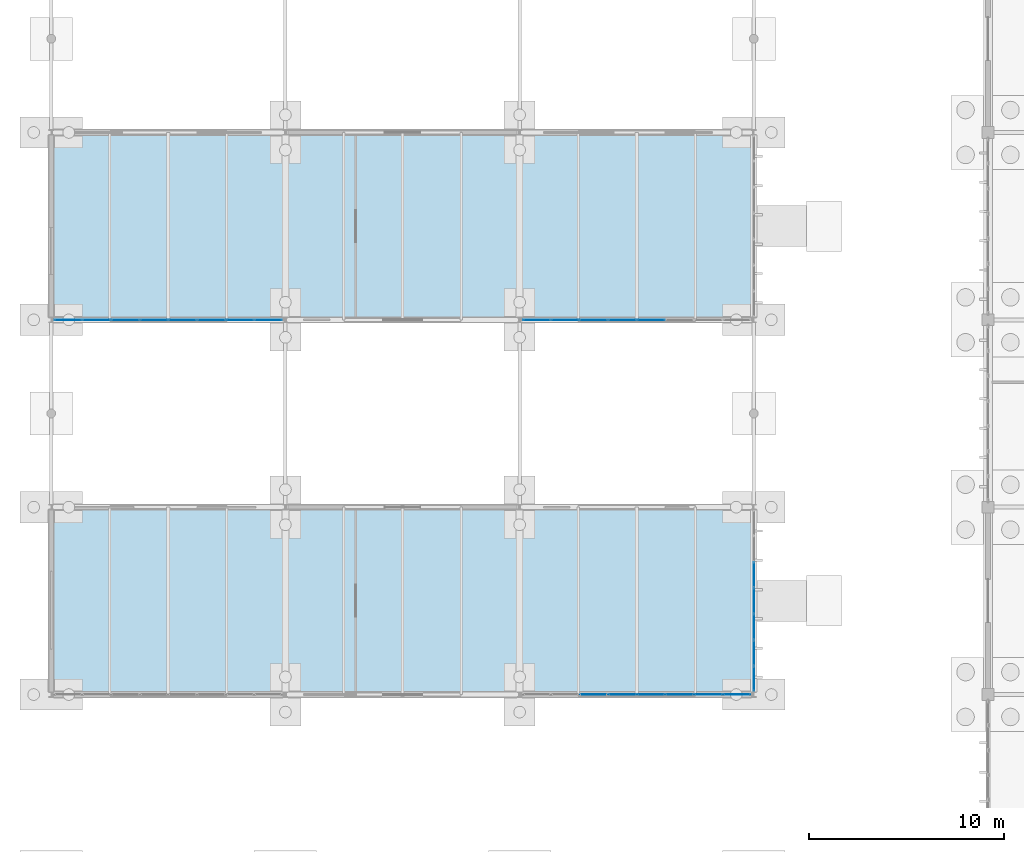
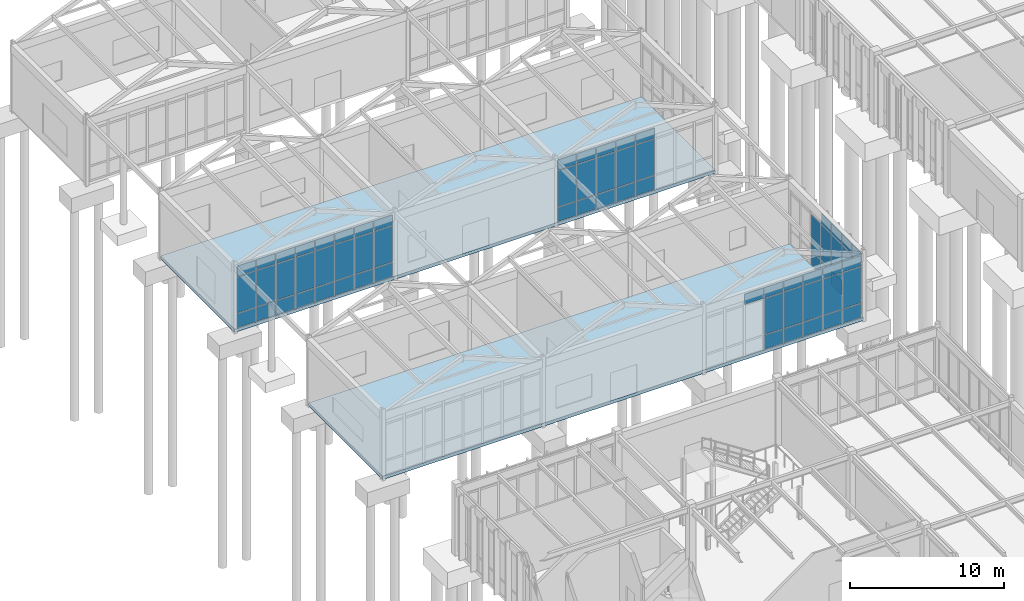
# One storey, part 131 of 188: 69 plates, 2 slabs, 4 elements without a shape of their own.
"""IFC4 building model written with IfcOpenShell, lengths in metres."""

from ifc_helpers import new_model, si_unit, direction, frame, origin, origin_2d, place, context, subcontext, project, spatial, polyline, rectangle, outline, extrude, material, layer, layer_set, type_object, element, aggregate, save


model = new_model("IFC4")

# Units and contexts
model_context = context("Model", 3, precision=1e-05, world=origin(), true_north=direction((0.0, 1.0)))
body_context = subcontext(model_context, "Body", "Model", "MODEL_VIEW")
ifc_project = project(units=[si_unit("LENGTHUNIT", "METRE"), si_unit("AREAUNIT", "SQUARE_METRE"), si_unit("VOLUMEUNIT", "CUBIC_METRE"), si_unit("PLANEANGLEUNIT", "RADIAN"), si_unit("MASSUNIT", "GRAM", prefix="KILO")], contexts=[model_context])

# Site, building, storey
site_placement = place(None, origin())
site = spatial("IfcSite", under=ifc_project, at=site_placement, CompositionType="ELEMENT")
building_placement = place(site_placement, origin())
building = spatial("IfcBuilding", under=site, at=building_placement, Name="Pandanus Reach Market Hall", CompositionType="ELEMENT")
storey_placement = place(building_placement, origin())
storey = spatial("IfcBuildingStorey", under=building, at=storey_placement, Name="L00", CompositionType="ELEMENT", Elevation=0.0)

# Curtain wall, plates
ifc_material_1 = material(Name="Bronze anodised aluminium and low-E glass", Category="aluminium")
ifc_layer_1 = layer(ifc_material_1, 0.159912109375, Name="CW-07")
ifc_layer_set_1 = layer_set([ifc_layer_1], Name="Bronze anodised aluminium and low-E glass")
curtain_wall_type_1 = type_object("IfcCurtainWallType", Name="CW-07", PredefinedType="NOTDEFINED", material=ifc_layer_set_1)
curtain_wall_1_placement = place(storey_placement, origin())
curtain_wall_1 = element("IfcCurtainWall", 1, at=curtain_wall_1_placement, inside=storey, type_object=curtain_wall_type_1, Name="Glazed curtain wall CW-07 CW-0039", PredefinedType="NOTDEFINED")
ifc_material_2 = material(Name="Solar-control double glazing", Category="glass")
ifc_layer_2 = layer(ifc_material_2, 0.028076171875, Name="CW-P1")
ifc_layer_set_2 = layer_set([ifc_layer_2], Name="Solar-control double glazing")
plate_type = type_object("IfcPlateType", Name="CW-P1", PredefinedType="CURTAIN_PANEL", material=ifc_layer_set_2)
plate_1_placement = place(storey_placement, frame((27.797607421875, 38.39990234375, 4.13232421875), z_axis=(0.0, 0.0, 1.0), x_axis=(1.0, 0.0, 0.0)))
plate_1 = element("IfcPlate", 2, at=plate_1_placement, type_object=plate_type, Name="CW-07 panel 3.3", PredefinedType="CURTAIN_PANEL", context=body_context, shape_type="SweptSolid", body=[
    extrude(rectangle(XDim=1.4033203125, YDim=0.028076171875, at=origin_2d()), origin(), (0.0, 0.0, 1.0), 0.802490234375),
])
plate_2_placement = place(storey_placement, frame((29.265869140625, 38.39990234375, 0.06494140625), z_axis=(0.0, 0.0, 1.0), x_axis=(1.0, 0.0, 0.0)))
plate_2 = element("IfcPlate", 3, at=plate_2_placement, type_object=plate_type, Name="CW-07 panel 4.1", PredefinedType="CURTAIN_PANEL", context=body_context, shape_type="SweptSolid", body=[
    extrude(rectangle(XDim=1.4033203125, YDim=0.028076171875, at=origin_2d()), origin(), (0.0, 0.0, 1.0), 1.1025390625),
])
plate_3_placement = place(storey_placement, frame((29.265869140625, 38.39990234375, 1.232421875), z_axis=(0.0, 0.0, 1.0), x_axis=(1.0, 0.0, 0.0)))
plate_3 = element("IfcPlate", 4, at=plate_3_placement, type_object=plate_type, Name="CW-07 panel 4.2", PredefinedType="CURTAIN_PANEL", context=body_context, shape_type="SweptSolid", body=[
    extrude(rectangle(XDim=1.4033203125, YDim=0.028076171875, at=origin_2d()), origin(), (0.0, 0.0, 1.0), 2.8349609375),
])
plate_4_placement = place(storey_placement, frame((29.265869140625, 38.39990234375, 4.13232421875), z_axis=(0.0, 0.0, 1.0), x_axis=(1.0, 0.0, 0.0)))
plate_4 = element("IfcPlate", 5, at=plate_4_placement, type_object=plate_type, Name="CW-07 panel 4.3", PredefinedType="CURTAIN_PANEL", context=body_context, shape_type="SweptSolid", body=[
    extrude(rectangle(XDim=1.4033203125, YDim=0.028076171875, at=origin_2d()), origin(), (0.0, 0.0, 1.0), 0.802490234375),
])
plate_5_placement = place(storey_placement, frame((30.734130859375, 38.39990234375, 0.06494140625), z_axis=(0.0, 0.0, 1.0), x_axis=(1.0, 0.0, 0.0)))
plate_5 = element("IfcPlate", 6, at=plate_5_placement, type_object=plate_type, Name="CW-07 panel 5.1", PredefinedType="CURTAIN_PANEL", context=body_context, shape_type="SweptSolid", body=[
    extrude(rectangle(XDim=1.4033203125, YDim=0.028076171875, at=origin_2d()), origin(), (0.0, 0.0, 1.0), 1.1025390625),
])
plate_6_placement = place(storey_placement, frame((30.734130859375, 38.39990234375, 1.232421875), z_axis=(0.0, 0.0, 1.0), x_axis=(1.0, 0.0, 0.0)))
plate_6 = element("IfcPlate", 7, at=plate_6_placement, type_object=plate_type, Name="CW-07 panel 5.2", PredefinedType="CURTAIN_PANEL", context=body_context, shape_type="SweptSolid", body=[
    extrude(rectangle(XDim=1.4033203125, YDim=0.028076171875, at=origin_2d()), origin(), (0.0, 0.0, 1.0), 2.8349609375),
])
plate_7_placement = place(storey_placement, frame((30.734130859375, 38.39990234375, 4.13232421875), z_axis=(0.0, 0.0, 1.0), x_axis=(1.0, 0.0, 0.0)))
plate_7 = element("IfcPlate", 8, at=plate_7_placement, type_object=plate_type, Name="CW-07 panel 5.3", PredefinedType="CURTAIN_PANEL", context=body_context, shape_type="SweptSolid", body=[
    extrude(rectangle(XDim=1.4033203125, YDim=0.028076171875, at=origin_2d()), origin(), (0.0, 0.0, 1.0), 0.802490234375),
])
plate_8_placement = place(storey_placement, frame((32.202392578125, 38.39990234375, 0.06494140625), z_axis=(0.0, 0.0, 1.0), x_axis=(1.0, 0.0, 0.0)))
plate_8 = element("IfcPlate", 9, at=plate_8_placement, type_object=plate_type, Name="CW-07 panel 6.1", PredefinedType="CURTAIN_PANEL", context=body_context, shape_type="SweptSolid", body=[
    extrude(rectangle(XDim=1.4033203125, YDim=0.028076171875, at=origin_2d()), origin(), (0.0, 0.0, 1.0), 1.1025390625),
])
plate_9_placement = place(storey_placement, frame((32.202392578125, 38.39990234375, 1.232421875), z_axis=(0.0, 0.0, 1.0), x_axis=(1.0, 0.0, 0.0)))
plate_9 = element("IfcPlate", 10, at=plate_9_placement, type_object=plate_type, Name="CW-07 panel 6.2", PredefinedType="CURTAIN_PANEL", context=body_context, shape_type="SweptSolid", body=[
    extrude(rectangle(XDim=1.4033203125, YDim=0.028076171875, at=origin_2d()), origin(), (0.0, 0.0, 1.0), 2.8349609375),
])
plate_10_placement = place(storey_placement, frame((32.202392578125, 38.39990234375, 4.13232421875), z_axis=(0.0, 0.0, 1.0), x_axis=(1.0, 0.0, 0.0)))
plate_10 = element("IfcPlate", 11, at=plate_10_placement, type_object=plate_type, Name="CW-07 panel 6.3", PredefinedType="CURTAIN_PANEL", context=body_context, shape_type="SweptSolid", body=[
    extrude(rectangle(XDim=1.4033203125, YDim=0.028076171875, at=origin_2d()), origin(), (0.0, 0.0, 1.0), 0.802490234375),
])
plate_11_placement = place(storey_placement, frame((33.670654296875, 38.39990234375, 0.06494140625), z_axis=(0.0, 0.0, 1.0), x_axis=(1.0, 0.0, 0.0)))
plate_11 = element("IfcPlate", 12, at=plate_11_placement, type_object=plate_type, Name="CW-07 panel 7.1", PredefinedType="CURTAIN_PANEL", context=body_context, shape_type="SweptSolid", body=[
    extrude(rectangle(XDim=1.4033203125, YDim=0.028076171875, at=origin_2d()), origin(), (0.0, 0.0, 1.0), 1.1025390625),
])
plate_12_placement = place(storey_placement, frame((33.670654296875, 38.39990234375, 1.232421875), z_axis=(0.0, 0.0, 1.0), x_axis=(1.0, 0.0, 0.0)))
plate_12 = element("IfcPlate", 13, at=plate_12_placement, type_object=plate_type, Name="CW-07 panel 7.2", PredefinedType="CURTAIN_PANEL", context=body_context, shape_type="SweptSolid", body=[
    extrude(rectangle(XDim=1.4033203125, YDim=0.028076171875, at=origin_2d()), origin(), (0.0, 0.0, 1.0), 2.8349609375),
])
plate_13_placement = place(storey_placement, frame((33.670654296875, 38.39990234375, 4.13232421875), z_axis=(0.0, 0.0, 1.0), x_axis=(1.0, 0.0, 0.0)))
plate_13 = element("IfcPlate", 14, at=plate_13_placement, type_object=plate_type, Name="CW-07 panel 7.3", PredefinedType="CURTAIN_PANEL", context=body_context, shape_type="SweptSolid", body=[
    extrude(rectangle(XDim=1.4033203125, YDim=0.028076171875, at=origin_2d()), origin(), (0.0, 0.0, 1.0), 0.802490234375),
])
plate_14_placement = place(storey_placement, frame((35.12255859375, 38.39990234375, 0.06494140625), z_axis=(0.0, 0.0, 1.0), x_axis=(1.0, 0.0, 0.0)))
plate_14 = element("IfcPlate", 15, at=plate_14_placement, type_object=plate_type, Name="CW-07 panel 8.1", PredefinedType="CURTAIN_PANEL", context=body_context, shape_type="SweptSolid", body=[
    extrude(rectangle(XDim=1.370849609375, YDim=0.028076171875, at=origin_2d()), origin(), (0.0, 0.0, 1.0), 1.1025390625),
])
plate_15_placement = place(storey_placement, frame((35.12255859375, 38.39990234375, 1.232421875), z_axis=(0.0, 0.0, 1.0), x_axis=(1.0, 0.0, 0.0)))
plate_15 = element("IfcPlate", 16, at=plate_15_placement, type_object=plate_type, Name="CW-07 panel 8.2", PredefinedType="CURTAIN_PANEL", context=body_context, shape_type="SweptSolid", body=[
    extrude(rectangle(XDim=1.370849609375, YDim=0.028076171875, at=origin_2d()), origin(), (0.0, 0.0, 1.0), 2.8349609375),
])
plate_16_placement = place(storey_placement, frame((35.12255859375, 38.39990234375, 4.13232421875), z_axis=(0.0, 0.0, 1.0), x_axis=(1.0, 0.0, 0.0)))
plate_16 = element("IfcPlate", 17, at=plate_16_placement, type_object=plate_type, Name="CW-07 panel 8.3", PredefinedType="CURTAIN_PANEL", context=body_context, shape_type="SweptSolid", body=[
    extrude(rectangle(XDim=1.370849609375, YDim=0.028076171875, at=origin_2d()), origin(), (0.0, 0.0, 1.0), 0.802490234375),
])
aggregate(curtain_wall_1, [plate_1, plate_2, plate_3, plate_4, plate_5, plate_6, plate_7, plate_8, plate_9, plate_10, plate_11, plate_12, plate_13, plate_14, plate_15, plate_16])

ifc_layer_3 = layer(ifc_material_1, 0.159912109375, Name="CW-08")
ifc_layer_set_3 = layer_set([ifc_layer_3], Name="Bronze anodised aluminium and low-E glass")
curtain_wall_type_2 = type_object("IfcCurtainWallType", Name="CW-08", PredefinedType="NOTDEFINED", material=ifc_layer_set_3)
curtain_wall_2_placement = place(storey_placement, origin())
curtain_wall_2 = element("IfcCurtainWall", 18, at=curtain_wall_2_placement, inside=storey, type_object=curtain_wall_type_2, Name="Glazed curtain wall CW-08 CW-0040", PredefinedType="NOTDEFINED")
plate_17_placement = place(storey_placement, frame((36.0, 39.2109375, 0.06494140625), z_axis=(0.0, 0.0, 1.0), x_axis=(0.0, 1.0, 0.0)))
plate_17 = element("IfcPlate", 19, at=plate_17_placement, type_object=plate_type, Name="CW-08 panel 1.1", PredefinedType="CURTAIN_PANEL", context=body_context, shape_type="SweptSolid", body=[
    extrude(rectangle(XDim=1.237548828125, YDim=0.028076171875, at=origin_2d()), origin(), (0.0, 0.0, 1.0), 1.1025390625),
])
plate_18_placement = place(storey_placement, frame((36.0, 39.2109375, 1.232421875), z_axis=(0.0, 0.0, 1.0), x_axis=(0.0, 1.0, 0.0)))
plate_18 = element("IfcPlate", 20, at=plate_18_placement, type_object=plate_type, Name="CW-08 panel 1.2", PredefinedType="CURTAIN_PANEL", context=body_context, shape_type="SweptSolid", body=[
    extrude(rectangle(XDim=1.237548828125, YDim=0.028076171875, at=origin_2d()), origin(), (0.0, 0.0, 1.0), 2.8349609375),
])
plate_19_placement = place(storey_placement, frame((36.0, 39.2109375, 4.13232421875), z_axis=(0.0, 0.0, 1.0), x_axis=(0.0, 1.0, 0.0)))
plate_19 = element("IfcPlate", 21, at=plate_19_placement, type_object=plate_type, Name="CW-08 panel 1.3", PredefinedType="CURTAIN_PANEL", context=body_context, shape_type="SweptSolid", body=[
    extrude(rectangle(XDim=1.237548828125, YDim=0.028076171875, at=origin_2d()), origin(), (0.0, 0.0, 1.0), 0.802490234375),
])
plate_20_placement = place(storey_placement, frame((36.0, 40.52978515625, 0.06494140625), z_axis=(0.0, 0.0, 1.0), x_axis=(0.0, 1.0, 0.0)))
plate_20 = element("IfcPlate", 22, at=plate_20_placement, type_object=plate_type, Name="CW-08 panel 2.1", PredefinedType="CURTAIN_PANEL", context=body_context, shape_type="SweptSolid", body=[
    extrude(rectangle(XDim=1.270263671875, YDim=0.028076171875, at=origin_2d()), origin(), (0.0, 0.0, 1.0), 1.1025390625),
])
plate_21_placement = place(storey_placement, frame((36.0, 40.52978515625, 1.232421875), z_axis=(0.0, 0.0, 1.0), x_axis=(0.0, 1.0, 0.0)))
plate_21 = element("IfcPlate", 23, at=plate_21_placement, type_object=plate_type, Name="CW-08 panel 2.2", PredefinedType="CURTAIN_PANEL", context=body_context, shape_type="SweptSolid", body=[
    extrude(rectangle(XDim=1.270263671875, YDim=0.028076171875, at=origin_2d()), origin(), (0.0, 0.0, 1.0), 2.8349609375),
])
plate_22_placement = place(storey_placement, frame((36.0, 40.52978515625, 4.13232421875), z_axis=(0.0, 0.0, 1.0), x_axis=(0.0, 1.0, 0.0)))
plate_22 = element("IfcPlate", 24, at=plate_22_placement, type_object=plate_type, Name="CW-08 panel 2.3", PredefinedType="CURTAIN_PANEL", context=body_context, shape_type="SweptSolid", body=[
    extrude(rectangle(XDim=1.270263671875, YDim=0.028076171875, at=origin_2d()), origin(), (0.0, 0.0, 1.0), 0.802490234375),
])
plate_23_placement = place(storey_placement, frame((36.0, 41.86474609375, 0.06494140625), z_axis=(0.0, 0.0, 1.0), x_axis=(0.0, 1.0, 0.0)))
plate_23 = element("IfcPlate", 25, at=plate_23_placement, type_object=plate_type, Name="CW-08 panel 3.1", PredefinedType="CURTAIN_PANEL", context=body_context, shape_type="SweptSolid", body=[
    extrude(rectangle(XDim=1.270263671875, YDim=0.028076171875, at=origin_2d()), origin(), (0.0, 0.0, 1.0), 1.1025390625),
])
plate_24_placement = place(storey_placement, frame((36.0, 41.86474609375, 1.232421875), z_axis=(0.0, 0.0, 1.0), x_axis=(0.0, 1.0, 0.0)))
plate_24 = element("IfcPlate", 26, at=plate_24_placement, type_object=plate_type, Name="CW-08 panel 3.2", PredefinedType="CURTAIN_PANEL", context=body_context, shape_type="SweptSolid", body=[
    extrude(rectangle(XDim=1.270263671875, YDim=0.028076171875, at=origin_2d()), origin(), (0.0, 0.0, 1.0), 2.8349609375),
])
plate_25_placement = place(storey_placement, frame((36.0, 41.86474609375, 4.13232421875), z_axis=(0.0, 0.0, 1.0), x_axis=(0.0, 1.0, 0.0)))
plate_25 = element("IfcPlate", 27, at=plate_25_placement, type_object=plate_type, Name="CW-08 panel 3.3", PredefinedType="CURTAIN_PANEL", context=body_context, shape_type="SweptSolid", body=[
    extrude(rectangle(XDim=1.270263671875, YDim=0.028076171875, at=origin_2d()), origin(), (0.0, 0.0, 1.0), 0.802490234375),
])
plate_26_placement = place(storey_placement, frame((36.0, 43.199951171875, 0.06494140625), z_axis=(0.0, 0.0, 1.0), x_axis=(0.0, 1.0, 0.0)))
plate_26 = element("IfcPlate", 28, at=plate_26_placement, type_object=plate_type, Name="CW-08 panel 4.1", PredefinedType="CURTAIN_PANEL", context=body_context, shape_type="SweptSolid", body=[
    extrude(rectangle(XDim=1.270263671875, YDim=0.028076171875, at=origin_2d()), origin(), (0.0, 0.0, 1.0), 1.1025390625),
])
plate_27_placement = place(storey_placement, frame((36.0, 43.199951171875, 1.232421875), z_axis=(0.0, 0.0, 1.0), x_axis=(0.0, 1.0, 0.0)))
plate_27 = element("IfcPlate", 29, at=plate_27_placement, type_object=plate_type, Name="CW-08 panel 4.2", PredefinedType="CURTAIN_PANEL", context=body_context, shape_type="SweptSolid", body=[
    extrude(rectangle(XDim=1.270263671875, YDim=0.028076171875, at=origin_2d()), origin(), (0.0, 0.0, 1.0), 2.8349609375),
])
plate_28_placement = place(storey_placement, frame((36.0, 43.199951171875, 4.13232421875), z_axis=(0.0, 0.0, 1.0), x_axis=(0.0, 1.0, 0.0)))
plate_28 = element("IfcPlate", 30, at=plate_28_placement, type_object=plate_type, Name="CW-08 panel 4.3", PredefinedType="CURTAIN_PANEL", context=body_context, shape_type="SweptSolid", body=[
    extrude(rectangle(XDim=1.270263671875, YDim=0.028076171875, at=origin_2d()), origin(), (0.0, 0.0, 1.0), 0.802490234375),
])
plate_29_placement = place(storey_placement, frame((36.0, 44.53515625, 0.06494140625), z_axis=(0.0, 0.0, 1.0), x_axis=(0.0, 1.0, 0.0)))
plate_29 = element("IfcPlate", 31, at=plate_29_placement, type_object=plate_type, Name="CW-08 panel 5.1", PredefinedType="CURTAIN_PANEL", context=body_context, shape_type="SweptSolid", body=[
    extrude(rectangle(XDim=1.270263671875, YDim=0.028076171875, at=origin_2d()), origin(), (0.0, 0.0, 1.0), 1.1025390625),
])
plate_30_placement = place(storey_placement, frame((36.0, 44.53515625, 1.232421875), z_axis=(0.0, 0.0, 1.0), x_axis=(0.0, 1.0, 0.0)))
plate_30 = element("IfcPlate", 32, at=plate_30_placement, type_object=plate_type, Name="CW-08 panel 5.2", PredefinedType="CURTAIN_PANEL", context=body_context, shape_type="SweptSolid", body=[
    extrude(rectangle(XDim=1.270263671875, YDim=0.028076171875, at=origin_2d()), origin(), (0.0, 0.0, 1.0), 2.8349609375),
])
aggregate(curtain_wall_2, [plate_17, plate_18, plate_19, plate_20, plate_21, plate_22, plate_23, plate_24, plate_25, plate_26, plate_27, plate_28, plate_29, plate_30])

curtain_wall_3_placement = place(storey_placement, origin())
curtain_wall_3 = element("IfcCurtainWall", 33, at=curtain_wall_3_placement, inside=storey, type_object=curtain_wall_type_1, Name="Glazed curtain wall CW-07 CW-0041", PredefinedType="NOTDEFINED")
plate_31_placement = place(storey_placement, frame((0.87744140625, 57.60009765625, 0.06494140625), z_axis=(0.0, 0.0, 1.0), x_axis=(1.0, 0.0, 0.0)))
plate_31 = element("IfcPlate", 34, at=plate_31_placement, type_object=plate_type, Name="CW-07 panel 1.1", PredefinedType="CURTAIN_PANEL", context=body_context, shape_type="SweptSolid", body=[
    extrude(rectangle(XDim=1.370849609375, YDim=0.028076171875, at=origin_2d()), origin(), (0.0, 0.0, 1.0), 1.1025390625),
])
plate_32_placement = place(storey_placement, frame((0.87744140625, 57.60009765625, 1.232421875), z_axis=(0.0, 0.0, 1.0), x_axis=(1.0, 0.0, 0.0)))
plate_32 = element("IfcPlate", 35, at=plate_32_placement, type_object=plate_type, Name="CW-07 panel 1.2", PredefinedType="CURTAIN_PANEL", context=body_context, shape_type="SweptSolid", body=[
    extrude(rectangle(XDim=1.370849609375, YDim=0.028076171875, at=origin_2d()), origin(), (0.0, 0.0, 1.0), 2.8349609375),
])
plate_33_placement = place(storey_placement, frame((0.87744140625, 57.60009765625, 4.13232421875), z_axis=(0.0, 0.0, 1.0), x_axis=(1.0, 0.0, 0.0)))
plate_33 = element("IfcPlate", 36, at=plate_33_placement, type_object=plate_type, Name="CW-07 panel 1.3", PredefinedType="CURTAIN_PANEL", context=body_context, shape_type="SweptSolid", body=[
    extrude(rectangle(XDim=1.370849609375, YDim=0.028076171875, at=origin_2d()), origin(), (0.0, 0.0, 1.0), 0.802490234375),
])
plate_34_placement = place(storey_placement, frame((2.329345703125, 57.60009765625, 0.06494140625), z_axis=(0.0, 0.0, 1.0), x_axis=(1.0, 0.0, 0.0)))
plate_34 = element("IfcPlate", 37, at=plate_34_placement, type_object=plate_type, Name="CW-07 panel 2.1", PredefinedType="CURTAIN_PANEL", context=body_context, shape_type="SweptSolid", body=[
    extrude(rectangle(XDim=1.4033203125, YDim=0.028076171875, at=origin_2d()), origin(), (0.0, 0.0, 1.0), 1.1025390625),
])
plate_35_placement = place(storey_placement, frame((2.329345703125, 57.60009765625, 1.232421875), z_axis=(0.0, 0.0, 1.0), x_axis=(1.0, 0.0, 0.0)))
plate_35 = element("IfcPlate", 38, at=plate_35_placement, type_object=plate_type, Name="CW-07 panel 2.2", PredefinedType="CURTAIN_PANEL", context=body_context, shape_type="SweptSolid", body=[
    extrude(rectangle(XDim=1.4033203125, YDim=0.028076171875, at=origin_2d()), origin(), (0.0, 0.0, 1.0), 2.8349609375),
])
plate_36_placement = place(storey_placement, frame((2.329345703125, 57.60009765625, 4.13232421875), z_axis=(0.0, 0.0, 1.0), x_axis=(1.0, 0.0, 0.0)))
plate_36 = element("IfcPlate", 39, at=plate_36_placement, type_object=plate_type, Name="CW-07 panel 2.3", PredefinedType="CURTAIN_PANEL", context=body_context, shape_type="SweptSolid", body=[
    extrude(rectangle(XDim=1.4033203125, YDim=0.028076171875, at=origin_2d()), origin(), (0.0, 0.0, 1.0), 0.802490234375),
])
plate_37_placement = place(storey_placement, frame((3.797607421875, 57.60009765625, 0.06494140625), z_axis=(0.0, 0.0, 1.0), x_axis=(1.0, 0.0, 0.0)))
plate_37 = element("IfcPlate", 40, at=plate_37_placement, type_object=plate_type, Name="CW-07 panel 3.1", PredefinedType="CURTAIN_PANEL", context=body_context, shape_type="SweptSolid", body=[
    extrude(rectangle(XDim=1.4033203125, YDim=0.028076171875, at=origin_2d()), origin(), (0.0, 0.0, 1.0), 1.1025390625),
])
plate_38_placement = place(storey_placement, frame((3.797607421875, 57.60009765625, 1.232421875), z_axis=(0.0, 0.0, 1.0), x_axis=(1.0, 0.0, 0.0)))
plate_38 = element("IfcPlate", 41, at=plate_38_placement, type_object=plate_type, Name="CW-07 panel 3.2", PredefinedType="CURTAIN_PANEL", context=body_context, shape_type="SweptSolid", body=[
    extrude(rectangle(XDim=1.4033203125, YDim=0.028076171875, at=origin_2d()), origin(), (0.0, 0.0, 1.0), 2.8349609375),
])
plate_39_placement = place(storey_placement, frame((3.797607421875, 57.60009765625, 4.13232421875), z_axis=(0.0, 0.0, 1.0), x_axis=(1.0, 0.0, 0.0)))
plate_39 = element("IfcPlate", 42, at=plate_39_placement, type_object=plate_type, Name="CW-07 panel 3.3", PredefinedType="CURTAIN_PANEL", context=body_context, shape_type="SweptSolid", body=[
    extrude(rectangle(XDim=1.4033203125, YDim=0.028076171875, at=origin_2d()), origin(), (0.0, 0.0, 1.0), 0.802490234375),
])
plate_40_placement = place(storey_placement, frame((5.265869140625, 57.60009765625, 0.06494140625), z_axis=(0.0, 0.0, 1.0), x_axis=(1.0, 0.0, 0.0)))
plate_40 = element("IfcPlate", 43, at=plate_40_placement, type_object=plate_type, Name="CW-07 panel 4.1", PredefinedType="CURTAIN_PANEL", context=body_context, shape_type="SweptSolid", body=[
    extrude(rectangle(XDim=1.4033203125, YDim=0.028076171875, at=origin_2d()), origin(), (0.0, 0.0, 1.0), 1.1025390625),
])
plate_41_placement = place(storey_placement, frame((5.265869140625, 57.60009765625, 1.232421875), z_axis=(0.0, 0.0, 1.0), x_axis=(1.0, 0.0, 0.0)))
plate_41 = element("IfcPlate", 44, at=plate_41_placement, type_object=plate_type, Name="CW-07 panel 4.2", PredefinedType="CURTAIN_PANEL", context=body_context, shape_type="SweptSolid", body=[
    extrude(rectangle(XDim=1.4033203125, YDim=0.028076171875, at=origin_2d()), origin(), (0.0, 0.0, 1.0), 2.8349609375),
])
plate_42_placement = place(storey_placement, frame((5.265869140625, 57.60009765625, 4.13232421875), z_axis=(0.0, 0.0, 1.0), x_axis=(1.0, 0.0, 0.0)))
plate_42 = element("IfcPlate", 45, at=plate_42_placement, type_object=plate_type, Name="CW-07 panel 4.3", PredefinedType="CURTAIN_PANEL", context=body_context, shape_type="SweptSolid", body=[
    extrude(rectangle(XDim=1.4033203125, YDim=0.028076171875, at=origin_2d()), origin(), (0.0, 0.0, 1.0), 0.802490234375),
])
plate_43_placement = place(storey_placement, frame((6.734130859375, 57.60009765625, 0.06494140625), z_axis=(0.0, 0.0, 1.0), x_axis=(1.0, 0.0, 0.0)))
plate_43 = element("IfcPlate", 46, at=plate_43_placement, type_object=plate_type, Name="CW-07 panel 5.1", PredefinedType="CURTAIN_PANEL", context=body_context, shape_type="SweptSolid", body=[
    extrude(rectangle(XDim=1.4033203125, YDim=0.028076171875, at=origin_2d()), origin(), (0.0, 0.0, 1.0), 1.1025390625),
])
plate_44_placement = place(storey_placement, frame((6.734130859375, 57.60009765625, 1.232421875), z_axis=(0.0, 0.0, 1.0), x_axis=(1.0, 0.0, 0.0)))
plate_44 = element("IfcPlate", 47, at=plate_44_placement, type_object=plate_type, Name="CW-07 panel 5.2", PredefinedType="CURTAIN_PANEL", context=body_context, shape_type="SweptSolid", body=[
    extrude(rectangle(XDim=1.4033203125, YDim=0.028076171875, at=origin_2d()), origin(), (0.0, 0.0, 1.0), 2.8349609375),
])
plate_45_placement = place(storey_placement, frame((6.734130859375, 57.60009765625, 4.13232421875), z_axis=(0.0, 0.0, 1.0), x_axis=(1.0, 0.0, 0.0)))
plate_45 = element("IfcPlate", 48, at=plate_45_placement, type_object=plate_type, Name="CW-07 panel 5.3", PredefinedType="CURTAIN_PANEL", context=body_context, shape_type="SweptSolid", body=[
    extrude(rectangle(XDim=1.4033203125, YDim=0.028076171875, at=origin_2d()), origin(), (0.0, 0.0, 1.0), 0.802490234375),
])
plate_46_placement = place(storey_placement, frame((8.202392578125, 57.60009765625, 0.06494140625), z_axis=(0.0, 0.0, 1.0), x_axis=(1.0, 0.0, 0.0)))
plate_46 = element("IfcPlate", 49, at=plate_46_placement, type_object=plate_type, Name="CW-07 panel 6.1", PredefinedType="CURTAIN_PANEL", context=body_context, shape_type="SweptSolid", body=[
    extrude(rectangle(XDim=1.4033203125, YDim=0.028076171875, at=origin_2d()), origin(), (0.0, 0.0, 1.0), 1.1025390625),
])
plate_47_placement = place(storey_placement, frame((8.202392578125, 57.60009765625, 1.232421875), z_axis=(0.0, 0.0, 1.0), x_axis=(1.0, 0.0, 0.0)))
plate_47 = element("IfcPlate", 50, at=plate_47_placement, type_object=plate_type, Name="CW-07 panel 6.2", PredefinedType="CURTAIN_PANEL", context=body_context, shape_type="SweptSolid", body=[
    extrude(rectangle(XDim=1.4033203125, YDim=0.028076171875, at=origin_2d()), origin(), (0.0, 0.0, 1.0), 2.8349609375),
])
plate_48_placement = place(storey_placement, frame((8.202392578125, 57.60009765625, 4.13232421875), z_axis=(0.0, 0.0, 1.0), x_axis=(1.0, 0.0, 0.0)))
plate_48 = element("IfcPlate", 51, at=plate_48_placement, type_object=plate_type, Name="CW-07 panel 6.3", PredefinedType="CURTAIN_PANEL", context=body_context, shape_type="SweptSolid", body=[
    extrude(rectangle(XDim=1.4033203125, YDim=0.028076171875, at=origin_2d()), origin(), (0.0, 0.0, 1.0), 0.802490234375),
])
plate_49_placement = place(storey_placement, frame((9.670654296875, 57.60009765625, 0.06494140625), z_axis=(0.0, 0.0, 1.0), x_axis=(1.0, 0.0, 0.0)))
plate_49 = element("IfcPlate", 52, at=plate_49_placement, type_object=plate_type, Name="CW-07 panel 7.1", PredefinedType="CURTAIN_PANEL", context=body_context, shape_type="SweptSolid", body=[
    extrude(rectangle(XDim=1.4033203125, YDim=0.028076171875, at=origin_2d()), origin(), (0.0, 0.0, 1.0), 1.1025390625),
])
plate_50_placement = place(storey_placement, frame((9.670654296875, 57.60009765625, 1.232421875), z_axis=(0.0, 0.0, 1.0), x_axis=(1.0, 0.0, 0.0)))
plate_50 = element("IfcPlate", 53, at=plate_50_placement, type_object=plate_type, Name="CW-07 panel 7.2", PredefinedType="CURTAIN_PANEL", context=body_context, shape_type="SweptSolid", body=[
    extrude(rectangle(XDim=1.4033203125, YDim=0.028076171875, at=origin_2d()), origin(), (0.0, 0.0, 1.0), 2.8349609375),
])
plate_51_placement = place(storey_placement, frame((9.670654296875, 57.60009765625, 4.13232421875), z_axis=(0.0, 0.0, 1.0), x_axis=(1.0, 0.0, 0.0)))
plate_51 = element("IfcPlate", 54, at=plate_51_placement, type_object=plate_type, Name="CW-07 panel 7.3", PredefinedType="CURTAIN_PANEL", context=body_context, shape_type="SweptSolid", body=[
    extrude(rectangle(XDim=1.4033203125, YDim=0.028076171875, at=origin_2d()), origin(), (0.0, 0.0, 1.0), 0.802490234375),
])
plate_52_placement = place(storey_placement, frame((11.12255859375, 57.60009765625, 0.06494140625), z_axis=(0.0, 0.0, 1.0), x_axis=(1.0, 0.0, 0.0)))
plate_52 = element("IfcPlate", 55, at=plate_52_placement, type_object=plate_type, Name="CW-07 panel 8.1", PredefinedType="CURTAIN_PANEL", context=body_context, shape_type="SweptSolid", body=[
    extrude(rectangle(XDim=1.370849609375, YDim=0.028076171875, at=origin_2d()), origin(), (0.0, 0.0, 1.0), 1.1025390625),
])
plate_53_placement = place(storey_placement, frame((11.12255859375, 57.60009765625, 1.232421875), z_axis=(0.0, 0.0, 1.0), x_axis=(1.0, 0.0, 0.0)))
plate_53 = element("IfcPlate", 56, at=plate_53_placement, type_object=plate_type, Name="CW-07 panel 8.2", PredefinedType="CURTAIN_PANEL", context=body_context, shape_type="SweptSolid", body=[
    extrude(rectangle(XDim=1.370849609375, YDim=0.028076171875, at=origin_2d()), origin(), (0.0, 0.0, 1.0), 2.8349609375),
])
plate_54_placement = place(storey_placement, frame((11.12255859375, 57.60009765625, 4.13232421875), z_axis=(0.0, 0.0, 1.0), x_axis=(1.0, 0.0, 0.0)))
plate_54 = element("IfcPlate", 57, at=plate_54_placement, type_object=plate_type, Name="CW-07 panel 8.3", PredefinedType="CURTAIN_PANEL", context=body_context, shape_type="SweptSolid", body=[
    extrude(rectangle(XDim=1.370849609375, YDim=0.028076171875, at=origin_2d()), origin(), (0.0, 0.0, 1.0), 0.802490234375),
])
aggregate(curtain_wall_3, [plate_31, plate_32, plate_33, plate_34, plate_35, plate_36, plate_37, plate_38, plate_39, plate_40, plate_41, plate_42, plate_43, plate_44, plate_45, plate_46, plate_47, plate_48, plate_49, plate_50, plate_51, plate_52, plate_53, plate_54])

curtain_wall_4_placement = place(storey_placement, origin())
curtain_wall_4 = element("IfcCurtainWall", 58, at=curtain_wall_4_placement, inside=storey, type_object=curtain_wall_type_1, Name="Glazed curtain wall CW-07 CW-0042", PredefinedType="NOTDEFINED")
plate_55_placement = place(storey_placement, frame((24.87744140625, 57.60009765625, 0.06494140625), z_axis=(0.0, 0.0, 1.0), x_axis=(1.0, 0.0, 0.0)))
plate_55 = element("IfcPlate", 59, at=plate_55_placement, type_object=plate_type, Name="CW-07 panel 1.1", PredefinedType="CURTAIN_PANEL", context=body_context, shape_type="SweptSolid", body=[
    extrude(rectangle(XDim=1.370849609375, YDim=0.028076171875, at=origin_2d()), origin(), (0.0, 0.0, 1.0), 1.1025390625),
])
plate_56_placement = place(storey_placement, frame((24.87744140625, 57.60009765625, 1.232421875), z_axis=(0.0, 0.0, 1.0), x_axis=(1.0, 0.0, 0.0)))
plate_56 = element("IfcPlate", 60, at=plate_56_placement, type_object=plate_type, Name="CW-07 panel 1.2", PredefinedType="CURTAIN_PANEL", context=body_context, shape_type="SweptSolid", body=[
    extrude(rectangle(XDim=1.370849609375, YDim=0.028076171875, at=origin_2d()), origin(), (0.0, 0.0, 1.0), 2.8349609375),
])
plate_57_placement = place(storey_placement, frame((24.87744140625, 57.60009765625, 4.13232421875), z_axis=(0.0, 0.0, 1.0), x_axis=(1.0, 0.0, 0.0)))
plate_57 = element("IfcPlate", 61, at=plate_57_placement, type_object=plate_type, Name="CW-07 panel 1.3", PredefinedType="CURTAIN_PANEL", context=body_context, shape_type="SweptSolid", body=[
    extrude(rectangle(XDim=1.370849609375, YDim=0.028076171875, at=origin_2d()), origin(), (0.0, 0.0, 1.0), 0.802490234375),
])
plate_58_placement = place(storey_placement, frame((26.329345703125, 57.60009765625, 0.06494140625), z_axis=(0.0, 0.0, 1.0), x_axis=(1.0, 0.0, 0.0)))
plate_58 = element("IfcPlate", 62, at=plate_58_placement, type_object=plate_type, Name="CW-07 panel 2.1", PredefinedType="CURTAIN_PANEL", context=body_context, shape_type="SweptSolid", body=[
    extrude(rectangle(XDim=1.4033203125, YDim=0.028076171875, at=origin_2d()), origin(), (0.0, 0.0, 1.0), 1.1025390625),
])
plate_59_placement = place(storey_placement, frame((26.329345703125, 57.60009765625, 1.232421875), z_axis=(0.0, 0.0, 1.0), x_axis=(1.0, 0.0, 0.0)))
plate_59 = element("IfcPlate", 63, at=plate_59_placement, type_object=plate_type, Name="CW-07 panel 2.2", PredefinedType="CURTAIN_PANEL", context=body_context, shape_type="SweptSolid", body=[
    extrude(rectangle(XDim=1.4033203125, YDim=0.028076171875, at=origin_2d()), origin(), (0.0, 0.0, 1.0), 2.8349609375),
])
plate_60_placement = place(storey_placement, frame((26.329345703125, 57.60009765625, 4.13232421875), z_axis=(0.0, 0.0, 1.0), x_axis=(1.0, 0.0, 0.0)))
plate_60 = element("IfcPlate", 64, at=plate_60_placement, type_object=plate_type, Name="CW-07 panel 2.3", PredefinedType="CURTAIN_PANEL", context=body_context, shape_type="SweptSolid", body=[
    extrude(rectangle(XDim=1.4033203125, YDim=0.028076171875, at=origin_2d()), origin(), (0.0, 0.0, 1.0), 0.802490234375),
])
plate_61_placement = place(storey_placement, frame((27.797607421875, 57.60009765625, 0.06494140625), z_axis=(0.0, 0.0, 1.0), x_axis=(1.0, 0.0, 0.0)))
plate_61 = element("IfcPlate", 65, at=plate_61_placement, type_object=plate_type, Name="CW-07 panel 3.1", PredefinedType="CURTAIN_PANEL", context=body_context, shape_type="SweptSolid", body=[
    extrude(rectangle(XDim=1.4033203125, YDim=0.028076171875, at=origin_2d()), origin(), (0.0, 0.0, 1.0), 1.1025390625),
])
plate_62_placement = place(storey_placement, frame((27.797607421875, 57.60009765625, 1.232421875), z_axis=(0.0, 0.0, 1.0), x_axis=(1.0, 0.0, 0.0)))
plate_62 = element("IfcPlate", 66, at=plate_62_placement, type_object=plate_type, Name="CW-07 panel 3.2", PredefinedType="CURTAIN_PANEL", context=body_context, shape_type="SweptSolid", body=[
    extrude(rectangle(XDim=1.4033203125, YDim=0.028076171875, at=origin_2d()), origin(), (0.0, 0.0, 1.0), 2.8349609375),
])
plate_63_placement = place(storey_placement, frame((27.797607421875, 57.60009765625, 4.13232421875), z_axis=(0.0, 0.0, 1.0), x_axis=(1.0, 0.0, 0.0)))
plate_63 = element("IfcPlate", 67, at=plate_63_placement, type_object=plate_type, Name="CW-07 panel 3.3", PredefinedType="CURTAIN_PANEL", context=body_context, shape_type="SweptSolid", body=[
    extrude(rectangle(XDim=1.4033203125, YDim=0.028076171875, at=origin_2d()), origin(), (0.0, 0.0, 1.0), 0.802490234375),
])
plate_64_placement = place(storey_placement, frame((29.265869140625, 57.60009765625, 0.06494140625), z_axis=(0.0, 0.0, 1.0), x_axis=(1.0, 0.0, 0.0)))
plate_64 = element("IfcPlate", 68, at=plate_64_placement, type_object=plate_type, Name="CW-07 panel 4.1", PredefinedType="CURTAIN_PANEL", context=body_context, shape_type="SweptSolid", body=[
    extrude(rectangle(XDim=1.4033203125, YDim=0.028076171875, at=origin_2d()), origin(), (0.0, 0.0, 1.0), 1.1025390625),
])
plate_65_placement = place(storey_placement, frame((29.265869140625, 57.60009765625, 1.232421875), z_axis=(0.0, 0.0, 1.0), x_axis=(1.0, 0.0, 0.0)))
plate_65 = element("IfcPlate", 69, at=plate_65_placement, type_object=plate_type, Name="CW-07 panel 4.2", PredefinedType="CURTAIN_PANEL", context=body_context, shape_type="SweptSolid", body=[
    extrude(rectangle(XDim=1.4033203125, YDim=0.028076171875, at=origin_2d()), origin(), (0.0, 0.0, 1.0), 2.8349609375),
])
plate_66_placement = place(storey_placement, frame((29.265869140625, 57.60009765625, 4.13232421875), z_axis=(0.0, 0.0, 1.0), x_axis=(1.0, 0.0, 0.0)))
plate_66 = element("IfcPlate", 70, at=plate_66_placement, type_object=plate_type, Name="CW-07 panel 4.3", PredefinedType="CURTAIN_PANEL", context=body_context, shape_type="SweptSolid", body=[
    extrude(rectangle(XDim=1.4033203125, YDim=0.028076171875, at=origin_2d()), origin(), (0.0, 0.0, 1.0), 0.802490234375),
])
plate_67_placement = place(storey_placement, frame((30.734130859375, 57.60009765625, 0.06494140625), z_axis=(0.0, 0.0, 1.0), x_axis=(1.0, 0.0, 0.0)))
plate_67 = element("IfcPlate", 71, at=plate_67_placement, type_object=plate_type, Name="CW-07 panel 5.1", PredefinedType="CURTAIN_PANEL", context=body_context, shape_type="SweptSolid", body=[
    extrude(rectangle(XDim=1.4033203125, YDim=0.028076171875, at=origin_2d()), origin(), (0.0, 0.0, 1.0), 1.1025390625),
])
plate_68_placement = place(storey_placement, frame((30.734130859375, 57.60009765625, 1.232421875), z_axis=(0.0, 0.0, 1.0), x_axis=(1.0, 0.0, 0.0)))
plate_68 = element("IfcPlate", 72, at=plate_68_placement, type_object=plate_type, Name="CW-07 panel 5.2", PredefinedType="CURTAIN_PANEL", context=body_context, shape_type="SweptSolid", body=[
    extrude(rectangle(XDim=1.4033203125, YDim=0.028076171875, at=origin_2d()), origin(), (0.0, 0.0, 1.0), 2.8349609375),
])
plate_69_placement = place(storey_placement, frame((30.734130859375, 57.60009765625, 4.13232421875), z_axis=(0.0, 0.0, 1.0), x_axis=(1.0, 0.0, 0.0)))
plate_69 = element("IfcPlate", 73, at=plate_69_placement, type_object=plate_type, Name="CW-07 panel 5.3", PredefinedType="CURTAIN_PANEL", context=body_context, shape_type="SweptSolid", body=[
    extrude(rectangle(XDim=1.4033203125, YDim=0.028076171875, at=origin_2d()), origin(), (0.0, 0.0, 1.0), 0.802490234375),
])
aggregate(curtain_wall_4, [plate_55, plate_56, plate_57, plate_58, plate_59, plate_60, plate_61, plate_62, plate_63, plate_64, plate_65, plate_66, plate_67, plate_68, plate_69])

# Slabs
ifc_material_3 = material(Name="Concrete N40 (40 MPa)", Category="concrete")
ifc_layer_4 = layer(ifc_material_3, 0.2548828125, Name="SL-L00-P")
ifc_layer_set_4 = layer_set([ifc_layer_4], Name="Concrete N40 (40 MPa)")
slab_type = type_object("IfcSlabType", Name="SL-L00-P", PredefinedType="BASESLAB", material=ifc_layer_set_4)
slab_1_placement = place(storey_placement, frame((0.0, 0.0, -0.2548828125)))
element("IfcSlab", 74, at=slab_1_placement, inside=storey, type_object=slab_type, Name="Floor slab SL-L00-V2A", PredefinedType="BASESLAB", context=body_context, shape_type="SweptSolid", body=[
    extrude(outline(polyline([(0.0, 38.39990234375), (36.0, 38.39990234375), (36.0, 48.0), (0.0, 48.0), (0.0, 38.39990234375)])), origin(), (0.0, 0.0, 1.0), 0.2548828125),
])
slab_2_placement = place(storey_placement, frame((0.0, 0.0, -0.2548828125)))
element("IfcSlab", 75, at=slab_2_placement, inside=storey, type_object=slab_type, Name="Floor slab SL-L00-V2B", PredefinedType="BASESLAB", context=body_context, shape_type="SweptSolid", body=[
    extrude(outline(polyline([(0.0, 57.60009765625), (36.0, 57.60009765625), (36.0, 67.199951171875), (0.0, 67.199951171875), (0.0, 57.60009765625)])), origin(), (0.0, 0.0, 1.0), 0.2548828125),
])

save(model, "model.ifc")
